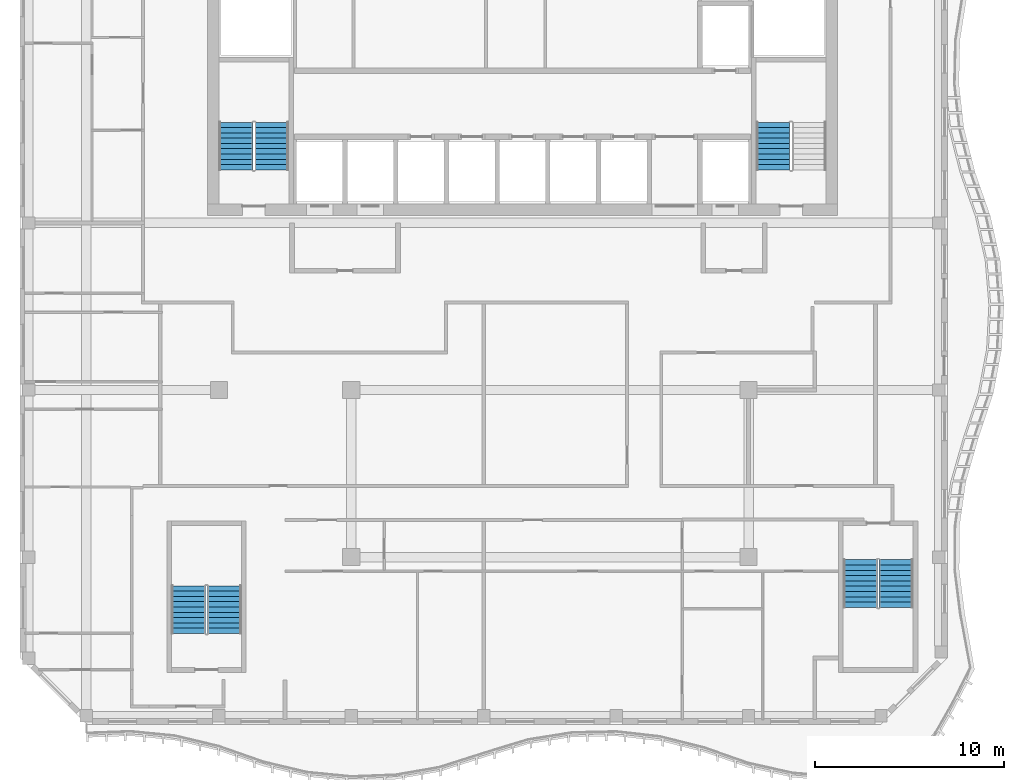
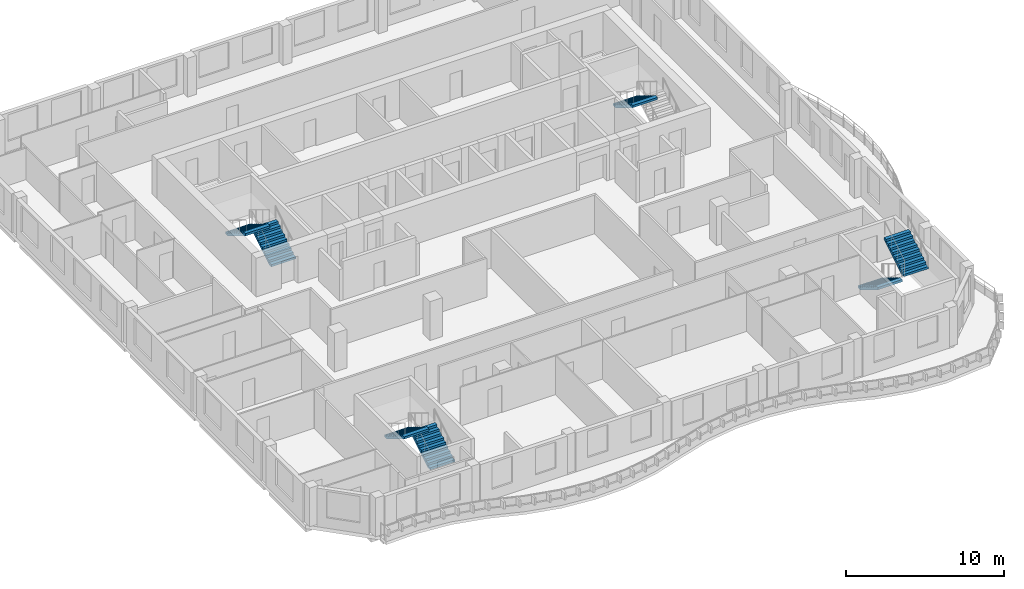
# One storey, part 9 of 13: 7 stair flights, 4 elements without a shape of their own.
"""IFC4 building model written with IfcOpenShell, lengths in metres."""

from ifc_helpers import new_model, si_unit, direction, frame, origin, place, context, subcontext, project, spatial, triangles, source, transform, mapped, material, type_object, element, aggregate, save


model = new_model("IFC4")

# Units and contexts
model_context = context("Model", 3, precision=1e-05, world=origin(), true_north=direction((0.0, 1.0)))
body_context = subcontext(model_context, "Body", "Model", "MODEL_VIEW")
ifc_project = project(units=[si_unit("LENGTHUNIT", "METRE"), si_unit("AREAUNIT", "SQUARE_METRE"), si_unit("VOLUMEUNIT", "CUBIC_METRE"), si_unit("PLANEANGLEUNIT", "RADIAN"), si_unit("MASSUNIT", "GRAM", prefix="KILO")], contexts=[model_context])

# Site, building, storey
site_placement = place(None, origin())
site = spatial("IfcSite", under=ifc_project, at=site_placement, CompositionType="ELEMENT")
building_placement = place(site_placement, origin())
building = spatial("IfcBuilding", under=site, at=building_placement, Name="Kilnfold Tower and Market Hall", CompositionType="ELEMENT")
storey_placement = place(building_placement, frame((0.0, 0.0, 287.39990234375)))
storey = spatial("IfcBuildingStorey", under=building, at=storey_placement, Name="L71", CompositionType="ELEMENT", Elevation=287.39990234375)

# Stair, stair flights
ifc_material_1 = material(Name="Concrete C40/50", Category="concrete")
stair_type = type_object("IfcStairType", Name="CORE STAIR 1800", PredefinedType="HALF_TURN_STAIR", material=ifc_material_1)
stair_1_placement = place(storey_placement, origin())
stair_1 = element("IfcStair", 1, at=stair_1_placement, inside=storey, type_object=stair_type, Name="L71 ST1", PredefinedType="HALF_TURN_STAIR")
ifc_material_2 = material(Name="Concrete C40/50", Category="concrete")
stair_flight_type = type_object("IfcStairFlightType", Name="CORE STAIR FLIGHT 1800", PredefinedType="STRAIGHT", material=ifc_material_2)
shared_shape = source(origin(), body_context, "Body", "Tessellation", [
    triangles([(0.0, 0.89990234375, 0.0), (0.0, 0.78759765625, 0.0), (0.0, 0.675048828125, 0.0), (0.0, 0.5625, 0.0), (0.0, 0.449951171875, 0.0), (0.0, 0.33740234375, 0.0), (0.0, 0.22509765625, 0.0), (0.0, 0.112548828125, 0.0), (0.0, 0.0, 0.0), (0.0, -0.112548828125, 0.0), (0.0, -0.22509765625, 0.0), (0.0, -0.33740234375, 0.0), (0.0, -0.449951171875, 0.0), (0.0, -0.5625, 0.0), (0.0, -0.675048828125, 0.0), (0.0, -0.78759765625, 0.0), (0.0, -0.89990234375, 0.0), (0.0, 0.89990234375, 0.169921875), (0.0, 0.78759765625, 0.169921875), (0.0, 0.675048828125, 0.169921875), (0.0, 0.5625, 0.169921875), (0.0, 0.449951171875, 0.169921875), (0.0, 0.33740234375, 0.169921875), (0.0, 0.22509765625, 0.169921875), (0.0, 0.112548828125, 0.169921875), (0.0, 0.0, 0.169921875), (0.0, -0.112548828125, 0.169921875), (0.0, -0.22509765625, 0.169921875), (0.0, -0.33740234375, 0.169921875), (0.0, -0.449951171875, 0.169921875), (0.0, -0.5625, 0.169921875), (0.0, -0.675048828125, 0.169921875), (0.0, -0.78759765625, 0.169921875), (0.0, -0.89990234375, 0.169921875), (0.280029296875, 0.89990234375, 0.169921875), (0.280029296875, 0.78759765625, 0.169921875), (0.280029296875, 0.675048828125, 0.169921875), (0.280029296875, 0.5625, 0.169921875), (0.280029296875, 0.449951171875, 0.169921875), (0.280029296875, 0.33740234375, 0.169921875), (0.280029296875, 0.22509765625, 0.169921875), (0.280029296875, 0.112548828125, 0.169921875), (0.280029296875, 0.0, 0.169921875), (0.280029296875, -0.112548828125, 0.169921875), (0.280029296875, -0.22509765625, 0.169921875), (0.280029296875, -0.33740234375, 0.169921875), (0.280029296875, -0.449951171875, 0.169921875), (0.280029296875, -0.5625, 0.169921875), (0.280029296875, -0.675048828125, 0.169921875), (0.280029296875, -0.78759765625, 0.169921875), (0.280029296875, -0.89990234375, 0.169921875), (0.280029296875, 0.89990234375, 0.340087890625), (0.280029296875, 0.78759765625, 0.340087890625), (0.280029296875, 0.675048828125, 0.340087890625), (0.280029296875, 0.5625, 0.340087890625), (0.280029296875, 0.449951171875, 0.340087890625), (0.280029296875, 0.33740234375, 0.340087890625), (0.280029296875, 0.22509765625, 0.340087890625), (0.280029296875, 0.112548828125, 0.340087890625), (0.280029296875, 0.0, 0.340087890625), (0.280029296875, -0.112548828125, 0.340087890625), (0.280029296875, -0.22509765625, 0.340087890625), (0.280029296875, -0.33740234375, 0.340087890625), (0.280029296875, -0.449951171875, 0.340087890625), (0.280029296875, -0.5625, 0.340087890625), (0.280029296875, -0.675048828125, 0.340087890625), (0.280029296875, -0.78759765625, 0.340087890625), (0.280029296875, -0.89990234375, 0.340087890625), (0.56005859375, 0.89990234375, 0.340087890625), (0.56005859375, 0.78759765625, 0.340087890625), (0.56005859375, 0.675048828125, 0.340087890625), (0.56005859375, 0.5625, 0.340087890625), (0.56005859375, 0.449951171875, 0.340087890625), (0.56005859375, 0.33740234375, 0.340087890625), (0.56005859375, 0.22509765625, 0.340087890625), (0.56005859375, 0.112548828125, 0.340087890625), (0.56005859375, 0.0, 0.340087890625), (0.56005859375, -0.112548828125, 0.340087890625), (0.56005859375, -0.22509765625, 0.340087890625), (0.56005859375, -0.33740234375, 0.340087890625), (0.56005859375, -0.449951171875, 0.340087890625), (0.56005859375, -0.5625, 0.340087890625), (0.56005859375, -0.675048828125, 0.340087890625), (0.56005859375, -0.78759765625, 0.340087890625), (0.56005859375, -0.89990234375, 0.340087890625), (0.56005859375, 0.89990234375, 0.510009765625), (0.56005859375, 0.78759765625, 0.510009765625), (0.56005859375, 0.675048828125, 0.510009765625), (0.56005859375, 0.5625, 0.510009765625), (0.56005859375, 0.449951171875, 0.510009765625), (0.56005859375, 0.33740234375, 0.510009765625), (0.56005859375, 0.22509765625, 0.510009765625), (0.56005859375, 0.112548828125, 0.510009765625), (0.56005859375, 0.0, 0.510009765625), (0.56005859375, -0.112548828125, 0.510009765625), (0.56005859375, -0.22509765625, 0.510009765625), (0.56005859375, -0.33740234375, 0.510009765625), (0.56005859375, -0.449951171875, 0.510009765625), (0.56005859375, -0.5625, 0.510009765625), (0.56005859375, -0.675048828125, 0.510009765625), (0.56005859375, -0.78759765625, 0.510009765625), (0.56005859375, -0.89990234375, 0.510009765625), (0.840087890625, 0.89990234375, 0.510009765625), (0.840087890625, 0.78759765625, 0.510009765625), (0.840087890625, 0.675048828125, 0.510009765625), (0.840087890625, 0.5625, 0.510009765625), (0.840087890625, 0.449951171875, 0.510009765625), (0.840087890625, 0.33740234375, 0.510009765625), (0.840087890625, 0.22509765625, 0.510009765625), (0.840087890625, 0.112548828125, 0.510009765625), (0.840087890625, 0.0, 0.510009765625), (0.840087890625, -0.112548828125, 0.510009765625), (0.840087890625, -0.22509765625, 0.510009765625), (0.840087890625, -0.33740234375, 0.510009765625), (0.840087890625, -0.449951171875, 0.510009765625), (0.840087890625, -0.5625, 0.510009765625), (0.840087890625, -0.675048828125, 0.510009765625), (0.840087890625, -0.78759765625, 0.510009765625), (0.840087890625, -0.89990234375, 0.510009765625), (0.840087890625, 0.89990234375, 0.679931640625), (0.840087890625, 0.78759765625, 0.679931640625), (0.840087890625, 0.675048828125, 0.679931640625), (0.840087890625, 0.5625, 0.679931640625), (0.840087890625, 0.449951171875, 0.679931640625), (0.840087890625, 0.33740234375, 0.679931640625), (0.840087890625, 0.22509765625, 0.679931640625), (0.840087890625, 0.112548828125, 0.679931640625), (0.840087890625, 0.0, 0.679931640625), (0.840087890625, -0.112548828125, 0.679931640625), (0.840087890625, -0.22509765625, 0.679931640625), (0.840087890625, -0.33740234375, 0.679931640625), (0.840087890625, -0.449951171875, 0.679931640625), (0.840087890625, -0.5625, 0.679931640625), (0.840087890625, -0.675048828125, 0.679931640625), (0.840087890625, -0.78759765625, 0.679931640625), (0.840087890625, -0.89990234375, 0.679931640625), (1.1201171875, 0.89990234375, 0.679931640625), (1.1201171875, 0.78759765625, 0.679931640625), (1.1201171875, 0.675048828125, 0.679931640625), (1.1201171875, 0.5625, 0.679931640625), (1.1201171875, 0.449951171875, 0.679931640625), (1.1201171875, 0.33740234375, 0.679931640625), (1.1201171875, 0.22509765625, 0.679931640625), (1.1201171875, 0.112548828125, 0.679931640625), (1.1201171875, 0.0, 0.679931640625), (1.1201171875, -0.112548828125, 0.679931640625), (1.1201171875, -0.22509765625, 0.679931640625), (1.1201171875, -0.33740234375, 0.679931640625), (1.1201171875, -0.449951171875, 0.679931640625), (1.1201171875, -0.5625, 0.679931640625), (1.1201171875, -0.675048828125, 0.679931640625), (1.1201171875, -0.78759765625, 0.679931640625), (1.1201171875, -0.89990234375, 0.679931640625), (1.1201171875, 0.89990234375, 0.85009765625), (1.1201171875, 0.78759765625, 0.85009765625), (1.1201171875, 0.675048828125, 0.85009765625), (1.1201171875, 0.5625, 0.85009765625), (1.1201171875, 0.449951171875, 0.85009765625), (1.1201171875, 0.33740234375, 0.85009765625), (1.1201171875, 0.22509765625, 0.85009765625), (1.1201171875, 0.112548828125, 0.85009765625), (1.1201171875, 0.0, 0.85009765625), (1.1201171875, -0.112548828125, 0.85009765625), (1.1201171875, -0.22509765625, 0.85009765625), (1.1201171875, -0.33740234375, 0.85009765625), (1.1201171875, -0.449951171875, 0.85009765625), (1.1201171875, -0.5625, 0.85009765625), (1.1201171875, -0.675048828125, 0.85009765625), (1.1201171875, -0.78759765625, 0.85009765625), (1.1201171875, -0.89990234375, 0.85009765625), (1.39990234375, 0.89990234375, 0.85009765625), (1.39990234375, 0.78759765625, 0.85009765625), (1.39990234375, 0.675048828125, 0.85009765625), (1.39990234375, 0.5625, 0.85009765625), (1.39990234375, 0.449951171875, 0.85009765625), (1.39990234375, 0.33740234375, 0.85009765625), (1.39990234375, 0.22509765625, 0.85009765625), (1.39990234375, 0.112548828125, 0.85009765625), (1.39990234375, 0.0, 0.85009765625), (1.39990234375, -0.112548828125, 0.85009765625), (1.39990234375, -0.22509765625, 0.85009765625), (1.39990234375, -0.33740234375, 0.85009765625), (1.39990234375, -0.449951171875, 0.85009765625), (1.39990234375, -0.5625, 0.85009765625), (1.39990234375, -0.675048828125, 0.85009765625), (1.39990234375, -0.78759765625, 0.85009765625), (1.39990234375, -0.89990234375, 0.85009765625), (1.39990234375, 0.89990234375, 1.02001953125), (1.39990234375, 0.78759765625, 1.02001953125), (1.39990234375, 0.675048828125, 1.02001953125), (1.39990234375, 0.5625, 1.02001953125), (1.39990234375, 0.449951171875, 1.02001953125), (1.39990234375, 0.33740234375, 1.02001953125), (1.39990234375, 0.22509765625, 1.02001953125), (1.39990234375, 0.112548828125, 1.02001953125), (1.39990234375, 0.0, 1.02001953125), (1.39990234375, -0.112548828125, 1.02001953125), (1.39990234375, -0.22509765625, 1.02001953125), (1.39990234375, -0.33740234375, 1.02001953125), (1.39990234375, -0.449951171875, 1.02001953125), (1.39990234375, -0.5625, 1.02001953125), (1.39990234375, -0.675048828125, 1.02001953125), (1.39990234375, -0.78759765625, 1.02001953125), (1.39990234375, -0.89990234375, 1.02001953125), (1.679931640625, 0.89990234375, 1.02001953125), (1.679931640625, 0.78759765625, 1.02001953125), (1.679931640625, 0.675048828125, 1.02001953125), (1.679931640625, 0.5625, 1.02001953125), (1.679931640625, 0.449951171875, 1.02001953125), (1.679931640625, 0.33740234375, 1.02001953125), (1.679931640625, 0.22509765625, 1.02001953125), (1.679931640625, 0.112548828125, 1.02001953125), (1.679931640625, 0.0, 1.02001953125), (1.679931640625, -0.112548828125, 1.02001953125), (1.679931640625, -0.22509765625, 1.02001953125), (1.679931640625, -0.33740234375, 1.02001953125), (1.679931640625, -0.449951171875, 1.02001953125), (1.679931640625, -0.5625, 1.02001953125), (1.679931640625, -0.675048828125, 1.02001953125), (1.679931640625, -0.78759765625, 1.02001953125), (1.679931640625, -0.89990234375, 1.02001953125), (1.679931640625, 0.89990234375, 1.18994140625), (1.679931640625, 0.78759765625, 1.18994140625), (1.679931640625, 0.675048828125, 1.18994140625), (1.679931640625, 0.5625, 1.18994140625), (1.679931640625, 0.449951171875, 1.18994140625), (1.679931640625, 0.33740234375, 1.18994140625), (1.679931640625, 0.22509765625, 1.18994140625), (1.679931640625, 0.112548828125, 1.18994140625), (1.679931640625, 0.0, 1.18994140625), (1.679931640625, -0.112548828125, 1.18994140625), (1.679931640625, -0.22509765625, 1.18994140625), (1.679931640625, -0.33740234375, 1.18994140625), (1.679931640625, -0.449951171875, 1.18994140625), (1.679931640625, -0.5625, 1.18994140625), (1.679931640625, -0.675048828125, 1.18994140625), (1.679931640625, -0.78759765625, 1.18994140625), (1.679931640625, -0.89990234375, 1.18994140625), (1.9599609375, 0.89990234375, 1.18994140625), (1.9599609375, 0.78759765625, 1.18994140625), (1.9599609375, 0.675048828125, 1.18994140625), (1.9599609375, 0.5625, 1.18994140625), (1.9599609375, 0.449951171875, 1.18994140625), (1.9599609375, 0.33740234375, 1.18994140625), (1.9599609375, 0.22509765625, 1.18994140625), (1.9599609375, 0.112548828125, 1.18994140625), (1.9599609375, 0.0, 1.18994140625), (1.9599609375, -0.112548828125, 1.18994140625), (1.9599609375, -0.22509765625, 1.18994140625), (1.9599609375, -0.33740234375, 1.18994140625), (1.9599609375, -0.449951171875, 1.18994140625), (1.9599609375, -0.5625, 1.18994140625), (1.9599609375, -0.675048828125, 1.18994140625), (1.9599609375, -0.78759765625, 1.18994140625), (1.9599609375, -0.89990234375, 1.18994140625), (1.9599609375, 0.89990234375, 1.360107421875), (1.9599609375, 0.78759765625, 1.360107421875), (1.9599609375, 0.675048828125, 1.360107421875), (1.9599609375, 0.5625, 1.360107421875), (1.9599609375, 0.449951171875, 1.360107421875), (1.9599609375, 0.33740234375, 1.360107421875), (1.9599609375, 0.22509765625, 1.360107421875), (1.9599609375, 0.112548828125, 1.360107421875), (1.9599609375, 0.0, 1.360107421875), (1.9599609375, -0.112548828125, 1.360107421875), (1.9599609375, -0.22509765625, 1.360107421875), (1.9599609375, -0.33740234375, 1.360107421875), (1.9599609375, -0.449951171875, 1.360107421875), (1.9599609375, -0.5625, 1.360107421875), (1.9599609375, -0.675048828125, 1.360107421875), (1.9599609375, -0.78759765625, 1.360107421875), (1.9599609375, -0.89990234375, 1.360107421875), (2.239990234375, 0.89990234375, 1.360107421875), (2.239990234375, 0.78759765625, 1.360107421875), (2.239990234375, 0.675048828125, 1.360107421875), (2.239990234375, 0.5625, 1.360107421875), (2.239990234375, 0.449951171875, 1.360107421875), (2.239990234375, 0.33740234375, 1.360107421875), (2.239990234375, 0.22509765625, 1.360107421875), (2.239990234375, 0.112548828125, 1.360107421875), (2.239990234375, 0.0, 1.360107421875), (2.239990234375, -0.112548828125, 1.360107421875), (2.239990234375, -0.22509765625, 1.360107421875), (2.239990234375, -0.33740234375, 1.360107421875), (2.239990234375, -0.449951171875, 1.360107421875), (2.239990234375, -0.5625, 1.360107421875), (2.239990234375, -0.675048828125, 1.360107421875), (2.239990234375, -0.78759765625, 1.360107421875), (2.239990234375, -0.89990234375, 1.360107421875), (2.239990234375, 0.89990234375, 1.530029296875), (2.239990234375, 0.78759765625, 1.530029296875), (2.239990234375, 0.675048828125, 1.530029296875), (2.239990234375, 0.5625, 1.530029296875), (2.239990234375, 0.449951171875, 1.530029296875), (2.239990234375, 0.33740234375, 1.530029296875), (2.239990234375, 0.22509765625, 1.530029296875), (2.239990234375, 0.112548828125, 1.530029296875), (2.239990234375, 0.0, 1.530029296875), (2.239990234375, -0.112548828125, 1.530029296875), (2.239990234375, -0.22509765625, 1.530029296875), (2.239990234375, -0.33740234375, 1.530029296875), (2.239990234375, -0.449951171875, 1.530029296875), (2.239990234375, -0.5625, 1.530029296875), (2.239990234375, -0.675048828125, 1.530029296875), (2.239990234375, -0.78759765625, 1.530029296875), (2.239990234375, -0.89990234375, 1.530029296875), (2.52001953125, 0.89990234375, 1.530029296875), (2.52001953125, 0.78759765625, 1.530029296875), (2.52001953125, 0.675048828125, 1.530029296875), (2.52001953125, 0.5625, 1.530029296875), (2.52001953125, 0.449951171875, 1.530029296875), (2.52001953125, 0.33740234375, 1.530029296875), (2.52001953125, 0.22509765625, 1.530029296875), (2.52001953125, 0.112548828125, 1.530029296875), (2.52001953125, 0.0, 1.530029296875), (2.52001953125, -0.112548828125, 1.530029296875), (2.52001953125, -0.22509765625, 1.530029296875), (2.52001953125, -0.33740234375, 1.530029296875), (2.52001953125, -0.449951171875, 1.530029296875), (2.52001953125, -0.5625, 1.530029296875), (2.52001953125, -0.675048828125, 1.530029296875), (2.52001953125, -0.78759765625, 1.530029296875), (2.52001953125, -0.89990234375, 1.530029296875), (2.52001953125, 0.89990234375, 1.354736328125), (2.52001953125, 0.78759765625, 1.354736328125), (2.52001953125, 0.675048828125, 1.354736328125), (2.52001953125, 0.5625, 1.354736328125), (2.52001953125, 0.449951171875, 1.354736328125), (2.52001953125, 0.33740234375, 1.354736328125), (2.52001953125, 0.22509765625, 1.354736328125), (2.52001953125, 0.112548828125, 1.354736328125), (2.52001953125, 0.0, 1.354736328125), (2.52001953125, -0.112548828125, 1.354736328125), (2.52001953125, -0.22509765625, 1.354736328125), (2.52001953125, -0.33740234375, 1.354736328125), (2.52001953125, -0.449951171875, 1.354736328125), (2.52001953125, -0.5625, 1.354736328125), (2.52001953125, -0.675048828125, 1.354736328125), (2.52001953125, -0.78759765625, 1.354736328125), (2.52001953125, -0.89990234375, 1.354736328125), (0.288818359375, 0.89990234375, 0.0), (0.288818359375, 0.78759765625, 0.0), (0.288818359375, 0.675048828125, 0.0), (0.288818359375, 0.5625, 0.0), (0.288818359375, 0.449951171875, 0.0), (0.288818359375, 0.33740234375, 0.0), (0.288818359375, 0.22509765625, 0.0), (0.288818359375, 0.112548828125, 0.0), (0.288818359375, 0.0, 0.0), (0.288818359375, -0.112548828125, 0.0), (0.288818359375, -0.22509765625, 0.0), (0.288818359375, -0.33740234375, 0.0), (0.288818359375, -0.449951171875, 0.0), (0.288818359375, -0.5625, 0.0), (0.288818359375, -0.675048828125, 0.0), (0.288818359375, -0.78759765625, 0.0), (0.288818359375, -0.89990234375, 0.0)], [[1, 324, 341], [17, 357, 340], [324, 290, 307], [340, 323, 306], [324, 273, 290], [340, 306, 289], [324, 256, 273], [340, 289, 272], [324, 239, 256], [340, 272, 255], [239, 205, 222], [255, 238, 221], [324, 205, 239], [340, 255, 221], [205, 171, 188], [221, 204, 187], [324, 171, 205], [340, 221, 187], [171, 137, 154], [187, 170, 153], [324, 137, 171], [340, 187, 153], [137, 103, 120], [153, 136, 119], [324, 103, 137], [340, 153, 119], [103, 69, 86], [119, 102, 85], [324, 69, 103], [340, 119, 85], [69, 35, 52], [85, 68, 51], [324, 35, 69], [340, 85, 51], [1, 35, 324], [17, 340, 51], [35, 1, 18], [51, 34, 17], [1, 19, 18], [1, 2, 19], [2, 20, 19], [2, 3, 20], [3, 21, 20], [3, 4, 21], [4, 22, 21], [4, 5, 22], [5, 23, 22], [5, 6, 23], [6, 24, 23], [6, 7, 24], [7, 25, 24], [7, 8, 25], [8, 26, 25], [8, 9, 26], [9, 27, 26], [9, 10, 27], [10, 28, 27], [10, 11, 28], [11, 29, 28], [11, 12, 29], [12, 30, 29], [12, 13, 30], [13, 31, 30], [13, 14, 31], [14, 32, 31], [14, 15, 32], [15, 33, 32], [15, 16, 33], [16, 34, 33], [16, 17, 34], [18, 36, 35], [18, 19, 36], [19, 37, 36], [19, 20, 37], [20, 38, 37], [20, 21, 38], [21, 39, 38], [21, 22, 39], [22, 40, 39], [22, 23, 40], [23, 41, 40], [23, 24, 41], [24, 42, 41], [24, 25, 42], [25, 43, 42], [25, 26, 43], [26, 44, 43], [26, 27, 44], [27, 45, 44], [27, 28, 45], [28, 46, 45], [28, 29, 46], [29, 47, 46], [29, 30, 47], [30, 48, 47], [30, 31, 48], [31, 49, 48], [31, 32, 49], [32, 50, 49], [32, 33, 50], [33, 51, 50], [33, 34, 51], [35, 53, 52], [35, 36, 53], [36, 54, 53], [36, 37, 54], [37, 55, 54], [37, 38, 55], [38, 56, 55], [38, 39, 56], [39, 57, 56], [39, 40, 57], [40, 58, 57], [40, 41, 58], [41, 59, 58], [41, 42, 59], [42, 60, 59], [42, 43, 60], [43, 61, 60], [43, 44, 61], [44, 62, 61], [44, 45, 62], [45, 63, 62], [45, 46, 63], [46, 64, 63], [46, 47, 64], [47, 65, 64], [47, 48, 65], [48, 66, 65], [48, 49, 66], [49, 67, 66], [49, 50, 67], [50, 68, 67], [50, 51, 68], [52, 70, 69], [52, 53, 70], [53, 71, 70], [53, 54, 71], [54, 72, 71], [54, 55, 72], [55, 73, 72], [55, 56, 73], [56, 74, 73], [56, 57, 74], [57, 75, 74], [57, 58, 75], [58, 76, 75], [58, 59, 76], [59, 77, 76], [59, 60, 77], [60, 78, 77], [60, 61, 78], [61, 79, 78], [61, 62, 79], [62, 80, 79], [62, 63, 80], [63, 81, 80], [63, 64, 81], [64, 82, 81], [64, 65, 82], [65, 83, 82], [65, 66, 83], [66, 84, 83], [66, 67, 84], [67, 85, 84], [67, 68, 85], [69, 87, 86], [69, 70, 87], [70, 88, 87], [70, 71, 88], [71, 89, 88], [71, 72, 89], [72, 90, 89], [72, 73, 90], [73, 91, 90], [73, 74, 91], [74, 92, 91], [74, 75, 92], [75, 93, 92], [75, 76, 93], [76, 94, 93], [76, 77, 94], [77, 95, 94], [77, 78, 95], [78, 96, 95], [78, 79, 96], [79, 97, 96], [79, 80, 97], [80, 98, 97], [80, 81, 98], [81, 99, 98], [81, 82, 99], [82, 100, 99], [82, 83, 100], [83, 101, 100], [83, 84, 101], [84, 102, 101], [84, 85, 102], [86, 104, 103], [86, 87, 104], [87, 105, 104], [87, 88, 105], [88, 106, 105], [88, 89, 106], [89, 107, 106], [89, 90, 107], [90, 108, 107], [90, 91, 108], [91, 109, 108], [91, 92, 109], [92, 110, 109], [92, 93, 110], [93, 111, 110], [93, 94, 111], [94, 112, 111], [94, 95, 112], [95, 113, 112], [95, 96, 113], [96, 114, 113], [96, 97, 114], [97, 115, 114], [97, 98, 115], [98, 116, 115], [98, 99, 116], [99, 117, 116], [99, 100, 117], [100, 118, 117], [100, 101, 118], [101, 119, 118], [101, 102, 119], [103, 121, 120], [103, 104, 121], [104, 122, 121], [104, 105, 122], [105, 123, 122], [105, 106, 123], [106, 124, 123], [106, 107, 124], [107, 125, 124], [107, 108, 125], [108, 126, 125], [108, 109, 126], [109, 127, 126], [109, 110, 127], [110, 128, 127], [110, 111, 128], [111, 129, 128], [111, 112, 129], [112, 130, 129], [112, 113, 130], [113, 131, 130], [113, 114, 131], [114, 132, 131], [114, 115, 132], [115, 133, 132], [115, 116, 133], [116, 134, 133], [116, 117, 134], [117, 135, 134], [117, 118, 135], [118, 136, 135], [118, 119, 136], [120, 138, 137], [120, 121, 138], [121, 139, 138], [121, 122, 139], [122, 140, 139], [122, 123, 140], [123, 141, 140], [123, 124, 141], [124, 142, 141], [124, 125, 142], [125, 143, 142], [125, 126, 143], [126, 144, 143], [126, 127, 144], [127, 145, 144], [127, 128, 145], [128, 146, 145], [128, 129, 146], [129, 147, 146], [129, 130, 147], [130, 148, 147], [130, 131, 148], [131, 149, 148], [131, 132, 149], [132, 150, 149], [132, 133, 150], [133, 151, 150], [133, 134, 151], [134, 152, 151], [134, 135, 152], [135, 153, 152], [135, 136, 153], [137, 155, 154], [137, 138, 155], [138, 156, 155], [138, 139, 156], [139, 157, 156], [139, 140, 157], [140, 158, 157], [140, 141, 158], [141, 159, 158], [141, 142, 159], [142, 160, 159], [142, 143, 160], [143, 161, 160], [143, 144, 161], [144, 162, 161], [144, 145, 162], [145, 163, 162], [145, 146, 163], [146, 164, 163], [146, 147, 164], [147, 165, 164], [147, 148, 165], [148, 166, 165], [148, 149, 166], [149, 167, 166], [149, 150, 167], [150, 168, 167], [150, 151, 168], [151, 169, 168], [151, 152, 169], [152, 170, 169], [152, 153, 170], [154, 172, 171], [154, 155, 172], [155, 173, 172], [155, 156, 173], [156, 174, 173], [156, 157, 174], [157, 175, 174], [157, 158, 175], [158, 176, 175], [158, 159, 176], [159, 177, 176], [159, 160, 177], [160, 178, 177], [160, 161, 178], [161, 179, 178], [161, 162, 179], [162, 180, 179], [162, 163, 180], [163, 181, 180], [163, 164, 181], [164, 182, 181], [164, 165, 182], [165, 183, 182], [165, 166, 183], [166, 184, 183], [166, 167, 184], [167, 185, 184], [167, 168, 185], [168, 186, 185], [168, 169, 186], [169, 187, 186], [169, 170, 187], [171, 189, 188], [171, 172, 189], [172, 190, 189], [172, 173, 190], [173, 191, 190], [173, 174, 191], [174, 192, 191], [174, 175, 192], [175, 193, 192], [175, 176, 193], [176, 194, 193], [176, 177, 194], [177, 195, 194], [177, 178, 195], [178, 196, 195], [178, 179, 196], [179, 197, 196], [179, 180, 197], [180, 198, 197], [180, 181, 198], [181, 199, 198], [181, 182, 199], [182, 200, 199], [182, 183, 200], [183, 201, 200], [183, 184, 201], [184, 202, 201], [184, 185, 202], [185, 203, 202], [185, 186, 203], [186, 204, 203], [186, 187, 204], [188, 206, 205], [188, 189, 206], [189, 207, 206], [189, 190, 207], [190, 208, 207], [190, 191, 208], [191, 209, 208], [191, 192, 209], [192, 210, 209], [192, 193, 210], [193, 211, 210], [193, 194, 211], [194, 212, 211], [194, 195, 212], [195, 213, 212], [195, 196, 213], [196, 214, 213], [196, 197, 214], [197, 215, 214], [197, 198, 215], [198, 216, 215], [198, 199, 216], [199, 217, 216], [199, 200, 217], [200, 218, 217], [200, 201, 218], [201, 219, 218], [201, 202, 219], [202, 220, 219], [202, 203, 220], [203, 221, 220], [203, 204, 221], [205, 223, 222], [205, 206, 223], [206, 224, 223], [206, 207, 224], [207, 225, 224], [207, 208, 225], [208, 226, 225], [208, 209, 226], [209, 227, 226], [209, 210, 227], [210, 228, 227], [210, 211, 228], [211, 229, 228], [211, 212, 229], [212, 230, 229], [212, 213, 230], [213, 231, 230], [213, 214, 231], [214, 232, 231], [214, 215, 232], [215, 233, 232], [215, 216, 233], [216, 234, 233], [216, 217, 234], [217, 235, 234], [217, 218, 235], [218, 236, 235], [218, 219, 236], [219, 237, 236], [219, 220, 237], [220, 238, 237], [220, 221, 238], [222, 240, 239], [222, 223, 240], [223, 241, 240], [223, 224, 241], [224, 242, 241], [224, 225, 242], [225, 243, 242], [225, 226, 243], [226, 244, 243], [226, 227, 244], [227, 245, 244], [227, 228, 245], [228, 246, 245], [228, 229, 246], [229, 247, 246], [229, 230, 247], [230, 248, 247], [230, 231, 248], [231, 249, 248], [231, 232, 249], [232, 250, 249], [232, 233, 250], [233, 251, 250], [233, 234, 251], [234, 252, 251], [234, 235, 252], [235, 253, 252], [235, 236, 253], [236, 254, 253], [236, 237, 254], [237, 255, 254], [237, 238, 255], [239, 257, 256], [239, 240, 257], [240, 258, 257], [240, 241, 258], [241, 259, 258], [241, 242, 259], [242, 260, 259], [242, 243, 260], [243, 261, 260], [243, 244, 261], [244, 262, 261], [244, 245, 262], [245, 263, 262], [245, 246, 263], [246, 264, 263], [246, 247, 264], [247, 265, 264], [247, 248, 265], [248, 266, 265], [248, 249, 266], [249, 267, 266], [249, 250, 267], [250, 268, 267], [250, 251, 268], [251, 269, 268], [251, 252, 269], [252, 270, 269], [252, 253, 270], [253, 271, 270], [253, 254, 271], [254, 272, 271], [254, 255, 272], [256, 274, 273], [256, 257, 274], [257, 275, 274], [257, 258, 275], [258, 276, 275], [258, 259, 276], [259, 277, 276], [259, 260, 277], [260, 278, 277], [260, 261, 278], [261, 279, 278], [261, 262, 279], [262, 280, 279], [262, 263, 280], [263, 281, 280], [263, 264, 281], [264, 282, 281], [264, 265, 282], [265, 283, 282], [265, 266, 283], [266, 284, 283], [266, 267, 284], [267, 285, 284], [267, 268, 285], [268, 286, 285], [268, 269, 286], [269, 287, 286], [269, 270, 287], [270, 288, 287], [270, 271, 288], [271, 289, 288], [271, 272, 289], [273, 291, 290], [273, 274, 291], [274, 292, 291], [274, 275, 292], [275, 293, 292], [275, 276, 293], [276, 294, 293], [276, 277, 294], [277, 295, 294], [277, 278, 295], [278, 296, 295], [278, 279, 296], [279, 297, 296], [279, 280, 297], [280, 298, 297], [280, 281, 298], [281, 299, 298], [281, 282, 299], [282, 300, 299], [282, 283, 300], [283, 301, 300], [283, 284, 301], [284, 302, 301], [284, 285, 302], [285, 303, 302], [285, 286, 303], [286, 304, 303], [286, 287, 304], [287, 305, 304], [287, 288, 305], [288, 306, 305], [288, 289, 306], [290, 308, 307], [290, 291, 308], [291, 309, 308], [291, 292, 309], [292, 310, 309], [292, 293, 310], [293, 311, 310], [293, 294, 311], [294, 312, 311], [294, 295, 312], [295, 313, 312], [295, 296, 313], [296, 314, 313], [296, 297, 314], [297, 315, 314], [297, 298, 315], [298, 316, 315], [298, 299, 316], [299, 317, 316], [299, 300, 317], [300, 318, 317], [300, 301, 318], [301, 319, 318], [301, 302, 319], [302, 320, 319], [302, 303, 320], [303, 321, 320], [303, 304, 321], [304, 322, 321], [304, 305, 322], [305, 323, 322], [305, 306, 323], [307, 325, 324], [307, 308, 325], [308, 326, 325], [308, 309, 326], [309, 327, 326], [309, 310, 327], [310, 328, 327], [310, 311, 328], [311, 329, 328], [311, 312, 329], [312, 330, 329], [312, 313, 330], [313, 331, 330], [313, 314, 331], [314, 332, 331], [314, 315, 332], [315, 333, 332], [315, 316, 333], [316, 334, 333], [316, 317, 334], [317, 335, 334], [317, 318, 335], [318, 336, 335], [318, 319, 336], [319, 337, 336], [319, 320, 337], [320, 338, 337], [320, 321, 338], [321, 339, 338], [321, 322, 339], [322, 340, 339], [322, 323, 340], [324, 342, 341], [324, 325, 342], [325, 343, 342], [325, 326, 343], [326, 344, 343], [326, 327, 344], [327, 345, 344], [327, 328, 345], [328, 346, 345], [328, 329, 346], [329, 347, 346], [329, 330, 347], [330, 348, 347], [330, 331, 348], [331, 349, 348], [331, 332, 349], [332, 350, 349], [332, 333, 350], [333, 351, 350], [333, 334, 351], [334, 352, 351], [334, 335, 352], [335, 353, 352], [335, 336, 353], [336, 354, 353], [336, 337, 354], [337, 355, 354], [337, 338, 355], [338, 356, 355], [338, 339, 356], [339, 357, 356], [339, 340, 357], [341, 2, 1], [341, 342, 2], [342, 3, 2], [342, 343, 3], [343, 4, 3], [343, 344, 4], [344, 5, 4], [344, 345, 5], [345, 6, 5], [345, 346, 6], [346, 7, 6], [346, 347, 7], [347, 8, 7], [347, 348, 8], [348, 9, 8], [348, 349, 9], [349, 10, 9], [349, 350, 10], [350, 11, 10], [350, 351, 11], [351, 12, 11], [351, 352, 12], [352, 13, 12], [352, 353, 13], [353, 14, 13], [353, 354, 14], [354, 15, 14], [354, 355, 15], [355, 16, 15], [355, 356, 16], [356, 17, 16], [356, 357, 17]], closed=True),
])
stair_flight_1_placement = place(storey_placement, frame((-12.199951171875, 10.800048828125, 0.0), z_axis=(0.0, 0.0, 1.0), x_axis=(0.0, 1.0, 0.0)))
stair_flight_1 = element("IfcStairFlight", 2, at=stair_flight_1_placement, type_object=stair_flight_type, Name="ST1 flight 1", NumberOfRisers=10, NumberOfTreads=9, PredefinedType="STRAIGHT", RiserHeight=0.17, TreadLength=0.28, context=body_context, shape_type="MappedRepresentation", body=[
    mapped(shared_shape, transform((0.0, 0.0, 0.0))),
])
stair_flight_2_placement = place(storey_placement, frame((-14.10009765625, 13.320068359375, 1.7001953125), z_axis=(0.0, 0.0, 1.0), x_axis=(0.0, -1.0, 0.0)))
stair_flight_2 = element("IfcStairFlight", 3, at=stair_flight_2_placement, type_object=stair_flight_type, Name="ST1 flight 2", NumberOfRisers=10, NumberOfTreads=9, PredefinedType="STRAIGHT", RiserHeight=0.17, TreadLength=0.28, context=body_context, shape_type="MappedRepresentation", body=[
    mapped(shared_shape, transform((0.0, 0.0, 0.0))),
])
aggregate(stair_1, [stair_flight_1, stair_flight_2])

# Stair, stair flight
stair_2_placement = place(storey_placement, origin())
stair_2 = element("IfcStair", 4, at=stair_2_placement, inside=storey, type_object=stair_type, Name="L71 ST2", PredefinedType="HALF_TURN_STAIR")
stair_flight_3_placement = place(storey_placement, frame((14.300048828125, 13.320068359375, 1.7001953125), z_axis=(0.0, 0.0, 1.0), x_axis=(0.0, -1.0, 0.0)))
stair_flight_3 = element("IfcStairFlight", 5, at=stair_flight_3_placement, type_object=stair_flight_type, Name="ST2 flight 2", NumberOfRisers=10, NumberOfTreads=9, PredefinedType="STRAIGHT", RiserHeight=0.17, TreadLength=0.28, context=body_context, shape_type="MappedRepresentation", body=[
    mapped(shared_shape, transform((0.0, 0.0, 0.0))),
])
aggregate(stair_2, [stair_flight_3])

# Stair, stair flights
stair_3_placement = place(storey_placement, origin())
stair_3 = element("IfcStair", 6, at=stair_3_placement, inside=storey, type_object=stair_type, Name="L71 ST3", PredefinedType="HALF_TURN_STAIR")
stair_flight_4_placement = place(storey_placement, frame((-14.699951171875, -13.699951171875, 0.0), z_axis=(0.0, 0.0, 1.0), x_axis=(0.0, 1.0, 0.0)))
stair_flight_4 = element("IfcStairFlight", 7, at=stair_flight_4_placement, type_object=stair_flight_type, Name="ST3 flight 1", NumberOfRisers=10, NumberOfTreads=9, PredefinedType="STRAIGHT", RiserHeight=0.17, TreadLength=0.28, context=body_context, shape_type="MappedRepresentation", body=[
    mapped(shared_shape, transform((0.0, 0.0, 0.0))),
])
stair_flight_5_placement = place(storey_placement, frame((-16.60009765625, -11.179931640625, 1.7001953125), z_axis=(0.0, 0.0, 1.0), x_axis=(0.0, -1.0, 0.0)))
stair_flight_5 = element("IfcStairFlight", 8, at=stair_flight_5_placement, type_object=stair_flight_type, Name="ST3 flight 2", NumberOfRisers=10, NumberOfTreads=9, PredefinedType="STRAIGHT", RiserHeight=0.17, TreadLength=0.28, context=body_context, shape_type="MappedRepresentation", body=[
    mapped(shared_shape, transform((0.0, 0.0, 0.0))),
])
aggregate(stair_3, [stair_flight_4, stair_flight_5])

stair_4_placement = place(storey_placement, origin())
stair_4 = element("IfcStair", 9, at=stair_4_placement, inside=storey, type_object=stair_type, Name="L71 ST4", PredefinedType="HALF_TURN_STAIR")
stair_flight_6_placement = place(storey_placement, frame((18.89990234375, -9.800048828125, 0.0), z_axis=(0.0, 0.0, 1.0), x_axis=(0.0, -1.0, 0.0)))
stair_flight_6 = element("IfcStairFlight", 10, at=stair_flight_6_placement, type_object=stair_flight_type, Name="ST4 flight 1", NumberOfRisers=10, NumberOfTreads=9, PredefinedType="STRAIGHT", RiserHeight=0.17, TreadLength=0.28, context=body_context, shape_type="MappedRepresentation", body=[
    mapped(shared_shape, transform((0.0, 0.0, 0.0))),
])
stair_flight_7_placement = place(storey_placement, frame((20.800048828125, -12.320068359375, 1.7001953125), z_axis=(0.0, 0.0, 1.0), x_axis=(0.0, 1.0, 0.0)))
stair_flight_7 = element("IfcStairFlight", 11, at=stair_flight_7_placement, type_object=stair_flight_type, Name="ST4 flight 2", NumberOfRisers=10, NumberOfTreads=9, PredefinedType="STRAIGHT", RiserHeight=0.17, TreadLength=0.28, context=body_context, shape_type="MappedRepresentation", body=[
    mapped(shared_shape, transform((0.0, 0.0, 0.0))),
])
aggregate(stair_4, [stair_flight_6, stair_flight_7])

save(model, "model.ifc")
